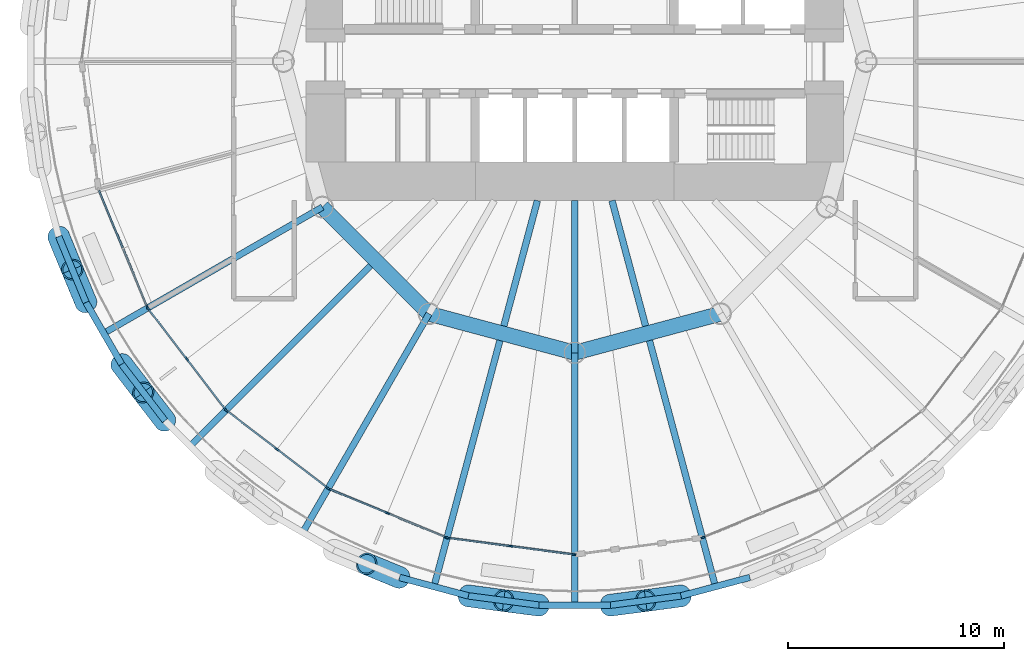
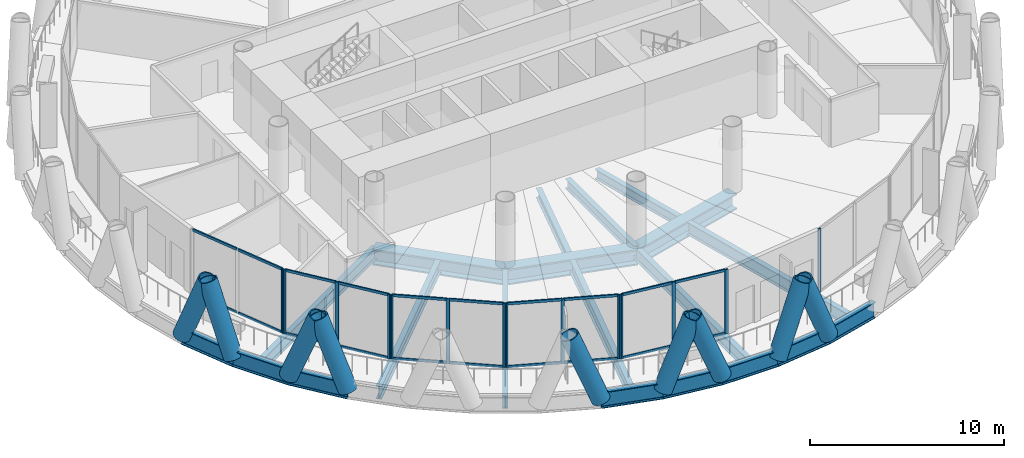
# One storey, part 2 of 15: 43 members, 20 beams, 6 elements without a shape of their own.
"""IFC4 building model written with IfcOpenShell, lengths in metres."""

from ifc_helpers import new_model, si_unit, direction, frame, origin, origin_2d, place, context, subcontext, project, spatial, rectangle, hollow_circle, i_section, extrude, material, material_profile, profile_set, type_object, element, aggregate, save


model = new_model("IFC4")

# Units and contexts
model_context = context("Model", 3, precision=1e-05, world=origin(), true_north=direction((0.0, 1.0)))
body_context = subcontext(model_context, "Body", "Model", "MODEL_VIEW")
ifc_project = project(units=[si_unit("LENGTHUNIT", "METRE"), si_unit("AREAUNIT", "SQUARE_METRE"), si_unit("VOLUMEUNIT", "CUBIC_METRE"), si_unit("PLANEANGLEUNIT", "RADIAN"), si_unit("MASSUNIT", "GRAM", prefix="KILO")], contexts=[model_context])

# Site, building, storey
site_placement = place(None, origin())
site = spatial("IfcSite", under=ifc_project, at=site_placement, CompositionType="ELEMENT")
building_placement = place(site_placement, origin())
building = spatial("IfcBuilding", under=site, at=building_placement, Name="Qaws Media Tower", CompositionType="ELEMENT")
storey_placement = place(building_placement, frame((0.0, 0.0, 114.199951171875)))
storey = spatial("IfcBuildingStorey", under=building, at=storey_placement, Name="L25", CompositionType="ELEMENT", Elevation=114.199951171875)

# Curtain wall, member
ifc_material_1 = material(Name="Aluminium and clear glass", Category="aluminium")
curtain_wall_type = type_object("IfcCurtainWallType", Name="Unitised curtain wall CW-B", PredefinedType="NOTDEFINED", material=ifc_material_1)
curtain_wall_1_placement = place(storey_placement, origin())
curtain_wall_1 = element("IfcCurtainWall", 1, at=curtain_wall_1_placement, inside=storey, type_object=curtain_wall_type, Name="CWB curtain wall L25-14", PredefinedType="NOTDEFINED")
ifc_material_2 = material(Name="Aluminium mullion", Category="aluminium")
ifc_material_profile_1 = material_profile(ifc_material_2, rectangle(XDim=0.080078125, YDim=0.199951171875, at=origin_2d()), Name="80x200")
ifc_profile_set_1 = profile_set([ifc_material_profile_1], Name="Aluminium mullion")
member_type_1 = type_object("IfcMemberType", Name="Curtain wall mullion 80x200", PredefinedType="MULLION", material=ifc_profile_set_1)
member_1_placement = place(storey_placement, frame((40.196044921875, 38.612060546875, 0.0), z_axis=(0.0, 0.0, 1.0), x_axis=(0.923879516448, 0.382683471145, 0.0)))
member_1 = element("IfcMember", 2, at=member_1_placement, type_object=member_type_1, Name="CWB mullion 3", PredefinedType="MULLION", context=body_context, shape_type="SweptSolid", body=[
    extrude(rectangle(XDim=0.080078125, YDim=0.199951171875, at=origin_2d()), origin(), (0.0, 0.0, 1.0), 4.0400390625),
])

# Curtain wall, members
curtain_wall_2_placement = place(storey_placement, origin())
curtain_wall_2 = element("IfcCurtainWall", 3, at=curtain_wall_2_placement, inside=storey, type_object=curtain_wall_type, Name="CWB curtain wall L25-15", PredefinedType="NOTDEFINED")
member_2_placement = place(storey_placement, frame((40.235595703125, 38.543212890625, 0.0), z_axis=(0.0, 0.0, 1.0), x_axis=(0.79335338601, 0.608761369427, 0.0)))
member_2 = element("IfcMember", 4, at=member_2_placement, type_object=member_type_1, Name="CWB mullion 1", PredefinedType="MULLION", context=body_context, shape_type="SweptSolid", body=[
    extrude(rectangle(XDim=0.080078125, YDim=0.199951171875, at=origin_2d()), origin(), (0.0, 0.0, 1.0), 4.0400390625),
])
member_3_placement = place(storey_placement, frame((42.02685546875, 36.208740234375, 0.0), z_axis=(0.0, 0.0, 1.0), x_axis=(0.79335338601, 0.608761369427, 0.0)))
member_3 = element("IfcMember", 5, at=member_3_placement, type_object=member_type_1, Name="CWB mullion 2", PredefinedType="MULLION", context=body_context, shape_type="SweptSolid", body=[
    extrude(rectangle(XDim=0.080078125, YDim=0.199951171875, at=origin_2d()), origin(), (0.0, 0.0, 1.0), 4.0400390625),
])
member_4_placement = place(storey_placement, frame((43.818359375, 33.874267578125, 0.0), z_axis=(0.0, 0.0, 1.0), x_axis=(0.79335338601, 0.608761369427, 0.0)))
member_4 = element("IfcMember", 6, at=member_4_placement, type_object=member_type_1, Name="CWB mullion 3", PredefinedType="MULLION", context=body_context, shape_type="SweptSolid", body=[
    extrude(rectangle(XDim=0.080078125, YDim=0.199951171875, at=origin_2d()), origin(), (0.0, 0.0, 1.0), 4.0400390625),
])

curtain_wall_3_placement = place(storey_placement, origin())
curtain_wall_3 = element("IfcCurtainWall", 7, at=curtain_wall_3_placement, inside=storey, type_object=curtain_wall_type, Name="CWB curtain wall L25-16", PredefinedType="NOTDEFINED")
member_5_placement = place(storey_placement, frame((43.874267578125, 33.818359375, 0.0), z_axis=(0.0, 0.0, 1.0), x_axis=(0.608761369427, 0.79335338601, 0.0)))
member_5 = element("IfcMember", 8, at=member_5_placement, type_object=member_type_1, Name="CWB mullion 1", PredefinedType="MULLION", context=body_context, shape_type="SweptSolid", body=[
    extrude(rectangle(XDim=0.080078125, YDim=0.199951171875, at=origin_2d()), origin(), (0.0, 0.0, 1.0), 4.0400390625),
])
member_6_placement = place(storey_placement, frame((46.208740234375, 32.02685546875, 0.0), z_axis=(0.0, 0.0, 1.0), x_axis=(0.608761369427, 0.79335338601, 0.0)))
member_6 = element("IfcMember", 9, at=member_6_placement, type_object=member_type_1, Name="CWB mullion 2", PredefinedType="MULLION", context=body_context, shape_type="SweptSolid", body=[
    extrude(rectangle(XDim=0.080078125, YDim=0.199951171875, at=origin_2d()), origin(), (0.0, 0.0, 1.0), 4.0400390625),
])
member_7_placement = place(storey_placement, frame((48.543212890625, 30.235595703125, 0.0), z_axis=(0.0, 0.0, 1.0), x_axis=(0.608761369427, 0.79335338601, 0.0)))
member_7 = element("IfcMember", 10, at=member_7_placement, type_object=member_type_1, Name="CWB mullion 3", PredefinedType="MULLION", context=body_context, shape_type="SweptSolid", body=[
    extrude(rectangle(XDim=0.080078125, YDim=0.199951171875, at=origin_2d()), origin(), (0.0, 0.0, 1.0), 4.0400390625),
])

curtain_wall_4_placement = place(storey_placement, origin())
curtain_wall_4 = element("IfcCurtainWall", 11, at=curtain_wall_4_placement, inside=storey, type_object=curtain_wall_type, Name="CWB curtain wall L25-17", PredefinedType="NOTDEFINED")
member_8_placement = place(storey_placement, frame((48.612060546875, 30.196044921875, 0.0), z_axis=(0.0, 0.0, 1.0), x_axis=(0.382683471145, 0.923879516448, 0.0)))
member_8 = element("IfcMember", 12, at=member_8_placement, type_object=member_type_1, Name="CWB mullion 1", PredefinedType="MULLION", context=body_context, shape_type="SweptSolid", body=[
    extrude(rectangle(XDim=0.080078125, YDim=0.199951171875, at=origin_2d()), origin(), (0.0, 0.0, 1.0), 4.0400390625),
])
member_9_placement = place(storey_placement, frame((51.33056640625, 29.070068359375, 0.0), z_axis=(0.0, 0.0, 1.0), x_axis=(0.382683471145, 0.923879516448, 0.0)))
member_9 = element("IfcMember", 13, at=member_9_placement, type_object=member_type_1, Name="CWB mullion 2", PredefinedType="MULLION", context=body_context, shape_type="SweptSolid", body=[
    extrude(rectangle(XDim=0.080078125, YDim=0.199951171875, at=origin_2d()), origin(), (0.0, 0.0, 1.0), 4.0400390625),
])
member_10_placement = place(storey_placement, frame((54.049072265625, 27.94384765625, 0.0), z_axis=(0.0, 0.0, 1.0), x_axis=(0.382683471145, 0.923879516448, 0.0)))
member_10 = element("IfcMember", 14, at=member_10_placement, type_object=member_type_1, Name="CWB mullion 3", PredefinedType="MULLION", context=body_context, shape_type="SweptSolid", body=[
    extrude(rectangle(XDim=0.080078125, YDim=0.199951171875, at=origin_2d()), origin(), (0.0, 0.0, 1.0), 4.0400390625),
])

curtain_wall_5_placement = place(storey_placement, origin())
curtain_wall_5 = element("IfcCurtainWall", 15, at=curtain_wall_5_placement, inside=storey, type_object=curtain_wall_type, Name="CWB curtain wall L25-18", PredefinedType="NOTDEFINED")
member_11_placement = place(storey_placement, frame((54.125732421875, 27.92333984375, 0.0), z_axis=(0.0, 0.0, 1.0), x_axis=(0.130526217674, 0.991444858023, 0.0)))
member_11 = element("IfcMember", 16, at=member_11_placement, type_object=member_type_1, Name="CWB mullion 1", PredefinedType="MULLION", context=body_context, shape_type="SweptSolid", body=[
    extrude(rectangle(XDim=0.080078125, YDim=0.199951171875, at=origin_2d()), origin(), (0.0, 0.0, 1.0), 4.0400390625),
])
member_12_placement = place(storey_placement, frame((57.04296875, 27.539306640625, 0.0), z_axis=(0.0, 0.0, 1.0), x_axis=(0.130526217674, 0.991444858023, 0.0)))
member_12 = element("IfcMember", 17, at=member_12_placement, type_object=member_type_1, Name="CWB mullion 2", PredefinedType="MULLION", context=body_context, shape_type="SweptSolid", body=[
    extrude(rectangle(XDim=0.080078125, YDim=0.199951171875, at=origin_2d()), origin(), (0.0, 0.0, 1.0), 4.0400390625),
])
member_13_placement = place(storey_placement, frame((59.96044921875, 27.1552734375, 0.0), z_axis=(0.0, 0.0, 1.0), x_axis=(0.130526217674, 0.991444858023, 0.0)))
member_13 = element("IfcMember", 18, at=member_13_placement, type_object=member_type_1, Name="CWB mullion 3", PredefinedType="MULLION", context=body_context, shape_type="SweptSolid", body=[
    extrude(rectangle(XDim=0.080078125, YDim=0.199951171875, at=origin_2d()), origin(), (0.0, 0.0, 1.0), 4.0400390625),
])

# Curtain wall, member
curtain_wall_6_placement = place(storey_placement, origin())
curtain_wall_6 = element("IfcCurtainWall", 19, at=curtain_wall_6_placement, inside=storey, type_object=curtain_wall_type, Name="CWB curtain wall L25-20", PredefinedType="NOTDEFINED")
member_14_placement = place(storey_placement, frame((65.950927734375, 27.94384765625, 0.0), z_axis=(0.0, 0.0, 1.0), x_axis=(-0.382683471145, 0.923879516448, 0.0)))
member_14 = element("IfcMember", 20, at=member_14_placement, type_object=member_type_1, Name="CWB mullion 1", PredefinedType="MULLION", context=body_context, shape_type="SweptSolid", body=[
    extrude(rectangle(XDim=0.080078125, YDim=0.199951171875, at=origin_2d()), origin(), (0.0, 0.0, 1.0), 4.0400390625),
])
aggregate(curtain_wall_6, [member_14])

# Member
ifc_material_3 = material(Name="Aluminium transom", Category="aluminium")
ifc_material_profile_2 = material_profile(ifc_material_3, rectangle(XDim=0.080078125, YDim=0.159912109375, at=origin_2d()), Name="80x160")
ifc_profile_set_2 = profile_set([ifc_material_profile_2], Name="Aluminium transom")
member_type_2 = type_object("IfcMemberType", Name="Curtain wall transom 80x160", PredefinedType="USERDEFINED", material=ifc_profile_set_2)
member_15_placement = place(storey_placement, frame((37.959228515625, 44.011962890625, 0.0400390625), z_axis=(0.382700809207, -0.923872334596, 0.0), x_axis=(0.923872334596, 0.382700809207, 0.0)))
member_15 = element("IfcMember", 21, at=member_15_placement, type_object=member_type_2, Name="CWB transom 1.1", ObjectType="TRANSOM", PredefinedType="USERDEFINED", context=body_context, shape_type="SweptSolid", body=[
    extrude(rectangle(XDim=0.080078125, YDim=0.159912109375, at=origin_2d()), origin(), (0.0, 0.0, 1.0), 2.862548828125),
])

member_16_placement = place(storey_placement, frame((37.959228515625, 44.011962890625, 4.0), z_axis=(0.382700809207, -0.923872334596, 0.0), x_axis=(0.923872334596, 0.382700809207, 0.0)))
member_16 = element("IfcMember", 22, at=member_16_placement, type_object=member_type_2, Name="CWB transom 1.2", ObjectType="TRANSOM", PredefinedType="USERDEFINED", context=body_context, shape_type="SweptSolid", body=[
    extrude(rectangle(XDim=0.080078125, YDim=0.159912109375, at=origin_2d()), origin(), (0.0, 0.0, 1.0), 2.862548828125),
])

member_17_placement = place(storey_placement, frame((39.085205078125, 41.29345703125, 0.0400390625), z_axis=(0.382700809207, -0.923872334596, 0.0), x_axis=(0.923872334596, 0.382700809207, 0.0)))
member_17 = element("IfcMember", 23, at=member_17_placement, type_object=member_type_2, Name="CWB transom 2.1", ObjectType="TRANSOM", PredefinedType="USERDEFINED", context=body_context, shape_type="SweptSolid", body=[
    extrude(rectangle(XDim=0.080078125, YDim=0.159912109375, at=origin_2d()), origin(), (0.0, 0.0, 1.0), 2.862548828125),
])

member_18_placement = place(storey_placement, frame((39.085205078125, 41.29345703125, 4.0), z_axis=(0.382700809207, -0.923872334596, 0.0), x_axis=(0.923872334596, 0.382700809207, 0.0)))
member_18 = element("IfcMember", 24, at=member_18_placement, type_object=member_type_2, Name="CWB transom 2.2", ObjectType="TRANSOM", PredefinedType="USERDEFINED", context=body_context, shape_type="SweptSolid", body=[
    extrude(rectangle(XDim=0.080078125, YDim=0.159912109375, at=origin_2d()), origin(), (0.0, 0.0, 1.0), 2.862548828125),
])

aggregate(curtain_wall_1, [member_1, member_15, member_16, member_17, member_18])

member_19_placement = place(storey_placement, frame((40.260009765625, 38.511474609375, 0.0400390625), z_axis=(0.608778840543, -0.793339979648, 0.0), x_axis=(0.793339979648, 0.608778840543, 0.0)))
member_19 = element("IfcMember", 25, at=member_19_placement, type_object=member_type_2, Name="CWB transom 1.1", ObjectType="TRANSOM", PredefinedType="USERDEFINED", context=body_context, shape_type="SweptSolid", body=[
    extrude(rectangle(XDim=0.080078125, YDim=0.159912109375, at=origin_2d()), origin(), (0.0, 0.0, 1.0), 2.862548828125),
])

member_20_placement = place(storey_placement, frame((40.260009765625, 38.511474609375, 4.0), z_axis=(0.608778840543, -0.793339979648, 0.0), x_axis=(0.793339979648, 0.608778840543, 0.0)))
member_20 = element("IfcMember", 26, at=member_20_placement, type_object=member_type_2, Name="CWB transom 1.2", ObjectType="TRANSOM", PredefinedType="USERDEFINED", context=body_context, shape_type="SweptSolid", body=[
    extrude(rectangle(XDim=0.080078125, YDim=0.159912109375, at=origin_2d()), origin(), (0.0, 0.0, 1.0), 2.862548828125),
])

member_21_placement = place(storey_placement, frame((42.05126953125, 36.177001953125, 0.0400390625), z_axis=(0.608778840543, -0.793339979648, 0.0), x_axis=(0.793339979648, 0.608778840543, 0.0)))
member_21 = element("IfcMember", 27, at=member_21_placement, type_object=member_type_2, Name="CWB transom 2.1", ObjectType="TRANSOM", PredefinedType="USERDEFINED", context=body_context, shape_type="SweptSolid", body=[
    extrude(rectangle(XDim=0.080078125, YDim=0.159912109375, at=origin_2d()), origin(), (0.0, 0.0, 1.0), 2.862548828125),
])

member_22_placement = place(storey_placement, frame((42.05126953125, 36.177001953125, 4.0), z_axis=(0.608778840543, -0.793339979648, 0.0), x_axis=(0.793339979648, 0.608778840543, 0.0)))
member_22 = element("IfcMember", 28, at=member_22_placement, type_object=member_type_2, Name="CWB transom 2.2", ObjectType="TRANSOM", PredefinedType="USERDEFINED", context=body_context, shape_type="SweptSolid", body=[
    extrude(rectangle(XDim=0.080078125, YDim=0.159912109375, at=origin_2d()), origin(), (0.0, 0.0, 1.0), 2.862548828125),
])

aggregate(curtain_wall_2, [member_2, member_3, member_4, member_19, member_20, member_21, member_22])

member_23_placement = place(storey_placement, frame((43.906005859375, 33.7939453125, 0.0400390625), z_axis=(0.793339979648, -0.608778840543, 0.0), x_axis=(0.608778840543, 0.793339979648, 0.0)))
member_23 = element("IfcMember", 29, at=member_23_placement, type_object=member_type_2, Name="CWB transom 1.1", ObjectType="TRANSOM", PredefinedType="USERDEFINED", context=body_context, shape_type="SweptSolid", body=[
    extrude(rectangle(XDim=0.080078125, YDim=0.159912109375, at=origin_2d()), origin(), (0.0, 0.0, 1.0), 2.862548828125),
])

member_24_placement = place(storey_placement, frame((43.906005859375, 33.7939453125, 4.0), z_axis=(0.793339979648, -0.608778840543, 0.0), x_axis=(0.608778840543, 0.793339979648, 0.0)))
member_24 = element("IfcMember", 30, at=member_24_placement, type_object=member_type_2, Name="CWB transom 1.2", ObjectType="TRANSOM", PredefinedType="USERDEFINED", context=body_context, shape_type="SweptSolid", body=[
    extrude(rectangle(XDim=0.080078125, YDim=0.159912109375, at=origin_2d()), origin(), (0.0, 0.0, 1.0), 2.862548828125),
])

member_25_placement = place(storey_placement, frame((46.240478515625, 32.002685546875, 0.0400390625), z_axis=(0.793339979648, -0.608778840543, 0.0), x_axis=(0.608778840543, 0.793339979648, 0.0)))
member_25 = element("IfcMember", 31, at=member_25_placement, type_object=member_type_2, Name="CWB transom 2.1", ObjectType="TRANSOM", PredefinedType="USERDEFINED", context=body_context, shape_type="SweptSolid", body=[
    extrude(rectangle(XDim=0.080078125, YDim=0.159912109375, at=origin_2d()), origin(), (0.0, 0.0, 1.0), 2.862548828125),
])

member_26_placement = place(storey_placement, frame((46.240478515625, 32.002685546875, 4.0), z_axis=(0.793339979648, -0.608778840543, 0.0), x_axis=(0.608778840543, 0.793339979648, 0.0)))
member_26 = element("IfcMember", 32, at=member_26_placement, type_object=member_type_2, Name="CWB transom 2.2", ObjectType="TRANSOM", PredefinedType="USERDEFINED", context=body_context, shape_type="SweptSolid", body=[
    extrude(rectangle(XDim=0.080078125, YDim=0.159912109375, at=origin_2d()), origin(), (0.0, 0.0, 1.0), 2.862548828125),
])

aggregate(curtain_wall_3, [member_5, member_6, member_7, member_23, member_24, member_25, member_26])

member_27_placement = place(storey_placement, frame((48.64892578125, 30.1806640625, 0.0400390625), z_axis=(0.923872334596, -0.382700809207, 0.0), x_axis=(0.382700809207, 0.923872334596, 0.0)))
member_27 = element("IfcMember", 33, at=member_27_placement, type_object=member_type_2, Name="CWB transom 1.1", ObjectType="TRANSOM", PredefinedType="USERDEFINED", context=body_context, shape_type="SweptSolid", body=[
    extrude(rectangle(XDim=0.080078125, YDim=0.159912109375, at=origin_2d()), origin(), (0.0, 0.0, 1.0), 2.862548828125),
])

member_28_placement = place(storey_placement, frame((48.64892578125, 30.1806640625, 4.0), z_axis=(0.923872334596, -0.382700809207, 0.0), x_axis=(0.382700809207, 0.923872334596, 0.0)))
member_28 = element("IfcMember", 34, at=member_28_placement, type_object=member_type_2, Name="CWB transom 1.2", ObjectType="TRANSOM", PredefinedType="USERDEFINED", context=body_context, shape_type="SweptSolid", body=[
    extrude(rectangle(XDim=0.080078125, YDim=0.159912109375, at=origin_2d()), origin(), (0.0, 0.0, 1.0), 2.862548828125),
])

member_29_placement = place(storey_placement, frame((51.367431640625, 29.0546875, 0.0400390625), z_axis=(0.923872334596, -0.382700809207, 0.0), x_axis=(0.382700809207, 0.923872334596, 0.0)))
member_29 = element("IfcMember", 35, at=member_29_placement, type_object=member_type_2, Name="CWB transom 2.1", ObjectType="TRANSOM", PredefinedType="USERDEFINED", context=body_context, shape_type="SweptSolid", body=[
    extrude(rectangle(XDim=0.080078125, YDim=0.159912109375, at=origin_2d()), origin(), (0.0, 0.0, 1.0), 2.862548828125),
])

member_30_placement = place(storey_placement, frame((51.367431640625, 29.0546875, 4.0), z_axis=(0.923872334596, -0.382700809207, 0.0), x_axis=(0.382700809207, 0.923872334596, 0.0)))
member_30 = element("IfcMember", 36, at=member_30_placement, type_object=member_type_2, Name="CWB transom 2.2", ObjectType="TRANSOM", PredefinedType="USERDEFINED", context=body_context, shape_type="SweptSolid", body=[
    extrude(rectangle(XDim=0.080078125, YDim=0.159912109375, at=origin_2d()), origin(), (0.0, 0.0, 1.0), 2.862548828125),
])

aggregate(curtain_wall_4, [member_8, member_9, member_10, member_27, member_28, member_29, member_30])

member_31_placement = place(storey_placement, frame((54.165283203125, 27.918212890625, 0.0400390625), z_axis=(0.991438903663, -0.130571437549, 0.0), x_axis=(0.130571437549, 0.991438903663, 0.0)))
member_31 = element("IfcMember", 37, at=member_31_placement, type_object=member_type_2, Name="CWB transom 1.1", ObjectType="TRANSOM", PredefinedType="USERDEFINED", context=body_context, shape_type="SweptSolid", body=[
    extrude(rectangle(XDim=0.080078125, YDim=0.159912109375, at=origin_2d()), origin(), (0.0, 0.0, 1.0), 2.862548828125),
])

member_32_placement = place(storey_placement, frame((54.165283203125, 27.918212890625, 4.0), z_axis=(0.991438903663, -0.130571437549, 0.0), x_axis=(0.130571437549, 0.991438903663, 0.0)))
member_32 = element("IfcMember", 38, at=member_32_placement, type_object=member_type_2, Name="CWB transom 1.2", ObjectType="TRANSOM", PredefinedType="USERDEFINED", context=body_context, shape_type="SweptSolid", body=[
    extrude(rectangle(XDim=0.080078125, YDim=0.159912109375, at=origin_2d()), origin(), (0.0, 0.0, 1.0), 2.862548828125),
])

member_33_placement = place(storey_placement, frame((57.082763671875, 27.5341796875, 0.0400390625), z_axis=(0.991437449462, -0.130582478934, 0.0), x_axis=(0.130582478934, 0.991437449462, 0.0)))
member_33 = element("IfcMember", 39, at=member_33_placement, type_object=member_type_2, Name="CWB transom 2.1", ObjectType="TRANSOM", PredefinedType="USERDEFINED", context=body_context, shape_type="SweptSolid", body=[
    extrude(rectangle(XDim=0.080078125, YDim=0.159912109375, at=origin_2d()), origin(), (0.0, 0.0, 1.0), 2.8623046875),
])

member_34_placement = place(storey_placement, frame((57.082763671875, 27.5341796875, 4.0), z_axis=(0.991437449462, -0.130582478934, 0.0), x_axis=(0.130582478934, 0.991437449462, 0.0)))
member_34 = element("IfcMember", 40, at=member_34_placement, type_object=member_type_2, Name="CWB transom 2.2", ObjectType="TRANSOM", PredefinedType="USERDEFINED", context=body_context, shape_type="SweptSolid", body=[
    extrude(rectangle(XDim=0.080078125, YDim=0.159912109375, at=origin_2d()), origin(), (0.0, 0.0, 1.0), 2.8623046875),
])

aggregate(curtain_wall_5, [member_11, member_12, member_13, member_31, member_32, member_33, member_34])

# Members
ifc_material_4 = material(Name="Steel S460", Category="steel")
ifc_material_profile_3 = material_profile(ifc_material_4, hollow_circle(Radius=0.508056640625, WallThickness=0.070068359375, at=origin_2d()), Name="CHS 1016x70")
ifc_profile_set_3 = profile_set([ifc_material_profile_3], Name="Steel S460")
member_type_3 = type_object("IfcMemberType", Name="Diagrid member CHS 1016x70", PredefinedType="USERDEFINED", material=ifc_profile_set_3)
for number, where, z_axis, x_axis, name in (
    (41, (36.090087890625, 41.883544921875, -0.6640625), (0.139188290236, -0.338368735106, 0.930662784774), (0.924812769409, 0.380422582844, 0.0), "DG3 diagrid L25 A14"),
    (42, (39.00537109375, 35.971923828125, -0.6640625), (0.22205715158, -0.290865116698, 0.930638547085), (0.794844296528, 0.606813434489, 0.0), "DG3 diagrid L25 A15"),
    (43, (37.35400390625, 38.832275390625, -0.6640625), (-0.140863091213, 0.337714392643, 0.930648472054), (-0.922932522348, -0.384961763286, 0.0), "DG3 diagrid L25 B15"),
    (44, (41.01611328125, 33.3515625, -0.6640625), (-0.223467284253, 0.289733908124, 0.930653875161), (-0.791837409053, -0.610731952352, 0.0), "DG3 diagrid L25 B16"),
    (45, (55.073974609375, 25.235107421875, -0.6640625), (0.362654284432, -0.048631593333, 0.930653984095), (0.13290934524, 0.991128198543, 0.0), "DG3 diagrid L25 A18"),
    (46, (51.883544921875, 26.090087890625, -0.6640625), (-0.338368735106, 0.139188290236, 0.930662784774), (-0.380422582844, -0.924812769409, 0.0), "DG3 diagrid L25 B18"),
    (47, (61.6513671875, 24.803955078125, -0.6640625), (0.362919156842, 0.046899822475, 0.930639614593), (-0.128163642951, 0.991753034089, 0.0), "DG3 diagrid L25 A19"),
    (48, (58.3486328125, 24.803955078125, -0.6640625), (-0.362919156842, 0.046899822475, 0.930639614593), (-0.128163642951, -0.991753034089, 0.0), "DG3 diagrid L25 B19"),
    (49, (64.926025390625, 25.235107421875, -0.6640625), (-0.362654284432, -0.048631593333, 0.930653984095), (0.13290934524, -0.991128198543, 0.0), "DG3 diagrid L25 B20"),
):
    element("IfcMember", number, at=place(storey_placement, frame(where, z_axis=z_axis, x_axis=x_axis)), inside=storey, type_object=member_type_3, Name=name, ObjectType="DIAGRID", PredefinedType="USERDEFINED", context=body_context, shape_type="SweptSolid", body=[
        extrude(hollow_circle(Radius=0.508056640625, WallThickness=0.070068359375, at=origin_2d()), origin(), (0.0, 0.0, 1.0), 4.51318359375),
    ])

# Beams
ifc_material_5 = material(Name="Steel S460", Category="steel")
ifc_material_profile_4 = material_profile(ifc_material_5, i_section(OverallWidth=0.302001953125, OverallDepth=1.008056640625, WebThickness=0.02099609375, FlangeThickness=0.0400390625, FilletRadius=0.030029296875, at=origin_2d()), Name="HE 1000 M")
ifc_profile_set_4 = profile_set([ifc_material_profile_4], Name="Steel S460")
beam_type_1 = type_object("IfcBeamType", Name="Edge ring beam HE 1000 M", PredefinedType="BEAM", material=ifc_profile_set_4)
for number, where, z_axis, x_axis, name in (
    (50, (36.090087890625, 41.883544921875, -0.6640625), (0.382693458177, -0.92387537962, 0.0), (0.92387537962, 0.382693458177, 0.0), "RB3 edge ring beam L25-27"),
    (51, (37.35400390625, 38.832275390625, -0.6640625), (0.499986929959, -0.866032949645, 0.0), (0.866032949645, 0.499986929959, 0.0), "RB3 edge ring beam L25-28"),
):
    element("IfcBeam", number, at=place(storey_placement, frame(where, z_axis=z_axis, x_axis=x_axis)), inside=storey, type_object=beam_type_1, Name=name, PredefinedType="BEAM", context=body_context, shape_type="SweptSolid", body=[
        extrude(i_section(OverallWidth=0.302001953125, OverallDepth=1.008056640625, WebThickness=0.02099609375, FlangeThickness=0.0400390625, FilletRadius=0.030029296875, at=origin_2d()), origin(), (0.0, 0.0, 1.0), 3.302734375),
    ])
for number, where, z_axis, x_axis, name in (
    (52, (39.00537109375, 35.971923828125, -0.6640625), (0.608774429392, -0.793343364577, 0.0), (0.793343364577, 0.608774429392, 0.0), "RB3 edge ring beam L25-29"),
    (53, (51.883544921875, 26.090087890625, -0.6640625), (0.965917696055, -0.258849385643, 0.0), (0.258849385643, 0.965917696055, 0.0), "RB3 edge ring beam L25-34"),
    (54, (55.073974609375, 25.235107421875, -0.6640625), (0.991443473841, -0.130536731142, 0.0), (0.130536731142, 0.991443473841, 0.0), "RB3 edge ring beam L25-35"),
):
    element("IfcBeam", number, at=place(storey_placement, frame(where, z_axis=z_axis, x_axis=x_axis)), inside=storey, type_object=beam_type_1, Name=name, PredefinedType="BEAM", context=body_context, shape_type="SweptSolid", body=[
        extrude(i_section(OverallWidth=0.302001953125, OverallDepth=1.008056640625, WebThickness=0.02099609375, FlangeThickness=0.0400390625, FilletRadius=0.030029296875, at=origin_2d()), origin(), (0.0, 0.0, 1.0), 3.302978515625),
    ])
beam_1_placement = place(storey_placement, frame((58.3486328125, 24.803955078125, -0.6640625), z_axis=(1.0, 0.0, 0.0), x_axis=(0.0, 1.0, 0.0)))
element("IfcBeam", 55, at=beam_1_placement, inside=storey, type_object=beam_type_1, Name="RB3 edge ring beam L25-36", PredefinedType="BEAM", context=body_context, shape_type="SweptSolid", body=[
    extrude(i_section(OverallWidth=0.302001953125, OverallDepth=1.008056640625, WebThickness=0.02099609375, FlangeThickness=0.0400390625, FilletRadius=0.030029296875, at=origin_2d()), origin(), (0.0, 0.0, 1.0), 3.302734375),
])
for number, where, z_axis, x_axis, name in (
    (56, (61.6513671875, 24.803955078125, -0.6640625), (0.991443473841, 0.130536731142, 0.0), (-0.130536731142, 0.991443473841, 0.0), "RB3 edge ring beam L25-37"),
    (57, (64.926025390625, 25.235107421875, -0.6640625), (0.965917696055, 0.258849385643, 0.0), (-0.258849385643, 0.965917696055, 0.0), "RB3 edge ring beam L25-38"),
):
    element("IfcBeam", number, at=place(storey_placement, frame(where, z_axis=z_axis, x_axis=x_axis)), inside=storey, type_object=beam_type_1, Name=name, PredefinedType="BEAM", context=body_context, shape_type="SweptSolid", body=[
        extrude(i_section(OverallWidth=0.302001953125, OverallDepth=1.008056640625, WebThickness=0.02099609375, FlangeThickness=0.0400390625, FilletRadius=0.030029296875, at=origin_2d()), origin(), (0.0, 0.0, 1.0), 3.302978515625),
    ])
ifc_material_6 = material(Name="Steel S460", Category="steel")
ifc_material_profile_5 = material_profile(ifc_material_6, i_section(OverallWidth=0.699951171875, OverallDepth=1.0, WebThickness=0.034912109375, FlangeThickness=0.090087890625, at=origin_2d()), Name="PG 1000x700")
ifc_profile_set_5 = profile_set([ifc_material_profile_5], Name="Steel S460")
beam_type_2 = type_object("IfcBeamType", Name="Inner ring girder PG 1000x700", PredefinedType="BEAM", material=ifc_profile_set_5)
beam_2_placement = place(storey_placement, frame((48.30859375, 43.25, -0.659912109375), z_axis=(0.707106781187, -0.707106781187, 0.0), x_axis=(0.707106781187, 0.707106781187, 0.0)))
element("IfcBeam", 58, at=beam_2_placement, inside=storey, type_object=beam_type_2, Name="B3 inner ring beam L25 I08-I09", PredefinedType="BEAM", context=body_context, shape_type="SweptSolid", body=[
    extrude(i_section(OverallWidth=0.699951171875, OverallDepth=1.0, WebThickness=0.034912109375, FlangeThickness=0.090087890625, at=origin_2d()), origin(), (0.0, 0.0, 1.0), 6.98828125),
])
for number, where, z_axis, x_axis, name in (
    (59, (53.25, 38.30859375, -0.659912109375), (0.965928090778, -0.258810593767, 0.0), (0.258810593767, 0.965928090778, 0.0), "B3 inner ring beam L25 I09-I10"),
    (60, (60.0, 36.5, -0.659912109375), (0.965928090778, 0.258810593767, 0.0), (-0.258810593767, 0.965928090778, 0.0), "B3 inner ring beam L25 I10-I11"),
):
    element("IfcBeam", number, at=place(storey_placement, frame(where, z_axis=z_axis, x_axis=x_axis)), inside=storey, type_object=beam_type_2, Name=name, PredefinedType="BEAM", context=body_context, shape_type="SweptSolid", body=[
        extrude(i_section(OverallWidth=0.699951171875, OverallDepth=1.0, WebThickness=0.034912109375, FlangeThickness=0.090087890625, at=origin_2d()), origin(), (0.0, 0.0, 1.0), 6.988037109375),
    ])
ifc_material_7 = material(Name="Steel S355", Category="steel")
ifc_material_profile_6 = material_profile(ifc_material_7, i_section(OverallWidth=0.304931640625, OverallDepth=0.6201171875, WebThickness=0.02099609375, FlangeThickness=0.0400390625, FilletRadius=0.027099609375, at=origin_2d()), Name="HE 600 M")
ifc_profile_set_6 = profile_set([ifc_material_profile_6], Name="Steel S355")
beam_type_3 = type_object("IfcBeamType", Name="Radial beam HE 600 M, core side", PredefinedType="BEAM", material=ifc_profile_set_6)
beam_3_placement = place(storey_placement, frame((58.271728515625, 43.550048828125, -0.469970703125), z_axis=(-0.258819977482, -0.965925576458, 0.0), x_axis=(0.965925576458, -0.258819977482, 0.0)))
element("IfcBeam", 61, at=beam_3_placement, inside=storey, type_object=beam_type_3, Name="B2 radial beam L25 18", PredefinedType="BEAM", context=body_context, shape_type="SweptSolid", body=[
    extrude(i_section(OverallWidth=0.304931640625, OverallDepth=0.6201171875, WebThickness=0.02099609375, FlangeThickness=0.0400390625, FilletRadius=0.027099609375, at=origin_2d()), origin(), (0.0, 0.0, 1.0), 6.012451171875),
])
beam_4_placement = place(storey_placement, frame((60.0, 43.550048828125, -0.469970703125), z_axis=(0.0, -1.0, 0.0), x_axis=(1.0, 0.0, 0.0)))
element("IfcBeam", 62, at=beam_4_placement, inside=storey, type_object=beam_type_3, Name="B2 radial beam L25 19", PredefinedType="BEAM", context=body_context, shape_type="SweptSolid", body=[
    extrude(i_section(OverallWidth=0.304931640625, OverallDepth=0.6201171875, WebThickness=0.02099609375, FlangeThickness=0.0400390625, FilletRadius=0.027099609375, at=origin_2d()), origin(), (0.0, 0.0, 1.0), 7.050048828125),
])
beam_5_placement = place(storey_placement, frame((61.728271484375, 43.550048828125, -0.469970703125), z_axis=(0.258819977482, -0.965925576458, 0.0), x_axis=(0.965925576458, 0.258819977482, 0.0)))
element("IfcBeam", 63, at=beam_5_placement, inside=storey, type_object=beam_type_3, Name="B2 radial beam L25 20", PredefinedType="BEAM", context=body_context, shape_type="SweptSolid", body=[
    extrude(i_section(OverallWidth=0.304931640625, OverallDepth=0.6201171875, WebThickness=0.02099609375, FlangeThickness=0.0400390625, FilletRadius=0.027099609375, at=origin_2d()), origin(), (0.0, 0.0, 1.0), 6.012451171875),
])
ifc_material_8 = material(Name="Steel S355", Category="steel")
ifc_material_profile_7 = material_profile(ifc_material_8, i_section(OverallWidth=0.300048828125, OverallDepth=0.800048828125, WebThickness=0.017578125, FlangeThickness=0.032958984375, FilletRadius=0.030029296875, at=origin_2d()), Name="HE 800 B")
ifc_profile_set_7 = profile_set([ifc_material_profile_7], Name="Steel S355")
beam_type_4 = type_object("IfcBeamType", Name="Radial beam HE 800 B", PredefinedType="BEAM", material=ifc_profile_set_7)
beam_6_placement = place(storey_placement, frame((48.30859375, 43.25, -0.56005859375), z_axis=(-0.866026379682, -0.499998309692, 0.0), x_axis=(0.499998309692, -0.866026379682, 0.0)))
element("IfcBeam", 64, at=beam_6_placement, inside=storey, type_object=beam_type_4, Name="B1 radial beam L25 15", PredefinedType="BEAM", context=body_context, shape_type="SweptSolid", body=[
    extrude(i_section(OverallWidth=0.300048828125, OverallDepth=0.800048828125, WebThickness=0.017578125, FlangeThickness=0.032958984375, FilletRadius=0.030029296875, at=origin_2d()), origin(), (0.0, 0.0, 1.0), 11.69580078125),
])
beam_7_placement = place(storey_placement, frame((50.53173828125, 40.53173828125, -0.56005859375), z_axis=(-0.707106781187, -0.707106781187, 0.0), x_axis=(0.707106781187, -0.707106781187, 0.0)))
element("IfcBeam", 65, at=beam_7_placement, inside=storey, type_object=beam_type_4, Name="B1 radial beam L25 16", PredefinedType="BEAM", context=body_context, shape_type="SweptSolid", body=[
    extrude(i_section(OverallWidth=0.300048828125, OverallDepth=0.800048828125, WebThickness=0.017578125, FlangeThickness=0.032958984375, FilletRadius=0.030029296875, at=origin_2d()), origin(), (0.0, 0.0, 1.0), 11.8056640625),
])
beam_8_placement = place(storey_placement, frame((53.25, 38.30859375, -0.56005859375), z_axis=(-0.499998309692, -0.866026379682, 0.0), x_axis=(0.866026379682, -0.499998309692, 0.0)))
element("IfcBeam", 66, at=beam_8_placement, inside=storey, type_object=beam_type_4, Name="B1 radial beam L25 17", PredefinedType="BEAM", context=body_context, shape_type="SweptSolid", body=[
    extrude(i_section(OverallWidth=0.300048828125, OverallDepth=0.800048828125, WebThickness=0.017578125, FlangeThickness=0.032958984375, FilletRadius=0.030029296875, at=origin_2d()), origin(), (0.0, 0.0, 1.0), 11.69580078125),
])
beam_9_placement = place(storey_placement, frame((56.534423828125, 37.066162109375, -0.56005859375), z_axis=(-0.258826013647, -0.965923959046, 0.0), x_axis=(0.965923959046, -0.258826013647, 0.0)))
element("IfcBeam", 67, at=beam_9_placement, inside=storey, type_object=beam_type_4, Name="B1 radial beam L25 18", PredefinedType="BEAM", context=body_context, shape_type="SweptSolid", body=[
    extrude(i_section(OverallWidth=0.300048828125, OverallDepth=0.800048828125, WebThickness=0.017578125, FlangeThickness=0.032958984375, FilletRadius=0.030029296875, at=origin_2d()), origin(), (0.0, 0.0, 1.0), 11.805908203125),
])
beam_10_placement = place(storey_placement, frame((60.0, 36.5, -0.56005859375), z_axis=(0.0, -1.0, 0.0), x_axis=(1.0, 0.0, 0.0)))
element("IfcBeam", 68, at=beam_10_placement, inside=storey, type_object=beam_type_4, Name="B1 radial beam L25 19", PredefinedType="BEAM", context=body_context, shape_type="SweptSolid", body=[
    extrude(i_section(OverallWidth=0.300048828125, OverallDepth=0.800048828125, WebThickness=0.017578125, FlangeThickness=0.032958984375, FilletRadius=0.030029296875, at=origin_2d()), origin(), (0.0, 0.0, 1.0), 11.696044921875),
])
beam_11_placement = place(storey_placement, frame((63.465576171875, 37.066162109375, -0.56005859375), z_axis=(0.258826013647, -0.965923959046, 0.0), x_axis=(0.965923959046, 0.258826013647, 0.0)))
element("IfcBeam", 69, at=beam_11_placement, inside=storey, type_object=beam_type_4, Name="B1 radial beam L25 20", PredefinedType="BEAM", context=body_context, shape_type="SweptSolid", body=[
    extrude(i_section(OverallWidth=0.300048828125, OverallDepth=0.800048828125, WebThickness=0.017578125, FlangeThickness=0.032958984375, FilletRadius=0.030029296875, at=origin_2d()), origin(), (0.0, 0.0, 1.0), 11.805908203125),
])

save(model, "model.ifc")
